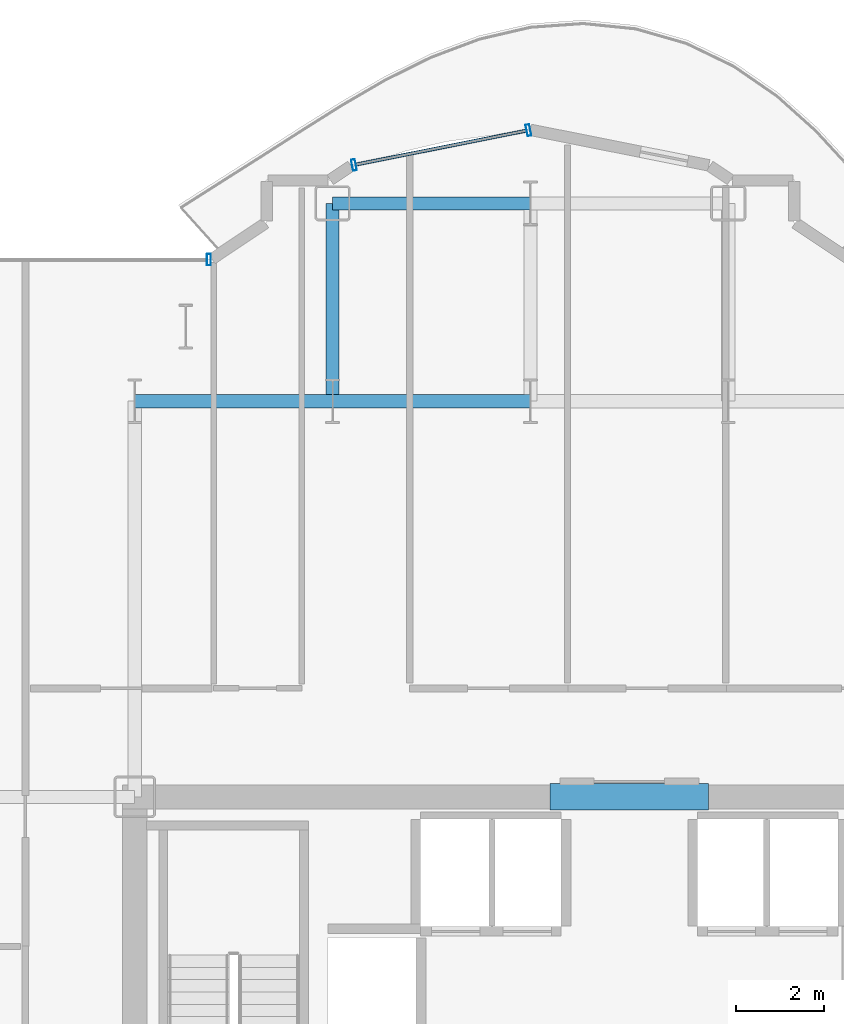
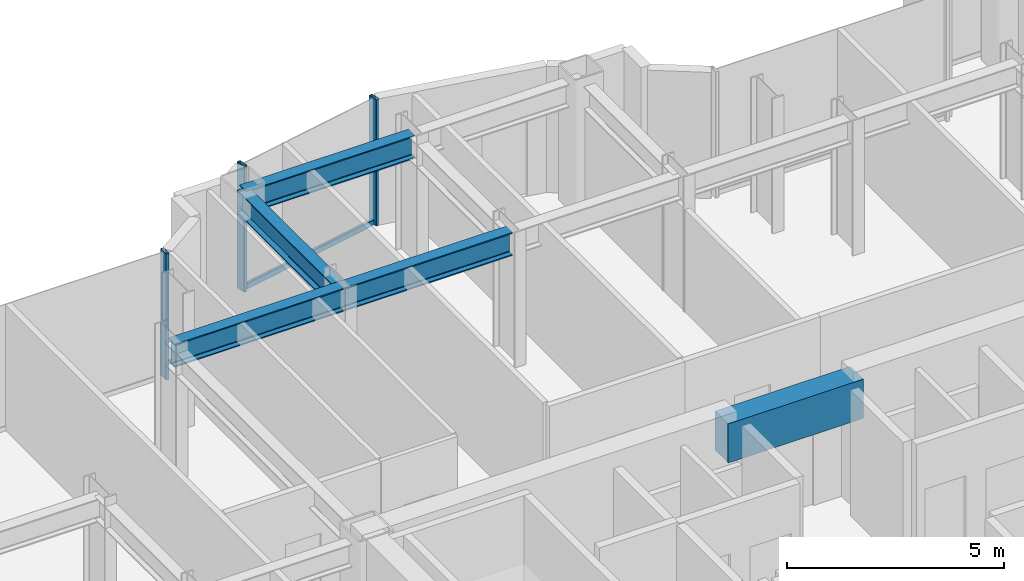
# One storey, part 13 of 29: 5 beams, 4 members, 2 elements without a shape of their own.
"""IFC4 building model written with IfcOpenShell, lengths in metres."""

import ifcopenshell
import ifcopenshell.guid

model = None  # the IFC model being written
_history = None  # IfcOwnerHistory: only IFC2X3 demands one
_inside = {}  # id of a spatial element -> (the spatial element, [elements in it])
_under = {}  # id of a project, library or spatial element -> (it, [spatial elements below it])
_declared = {}  # id of a project -> (the project, [libraries it declares])
_typed = {}  # id of a type object -> (the type object, [elements of that type])
_made_of = {}  # id of a material, layer set ... -> (it, [elements and type objects made of it])


def new_model(schema):
    """Start an empty IFC model of exactly this schema.

    Asked for "IFC4X3", IfcOpenShell would pick the latest addendum, in which some entities
    have other attributes; the version numbers below select the first issue.
    IFC2X3 requires an IfcOwnerHistory on every rooted entity: one is made here for all.
    """
    global model, _history
    if schema == "IFC4X3":
        model = ifcopenshell.file(schema_version=(4, 3, 0, 0))
    else:
        model = ifcopenshell.file(schema=schema)
    _inside.clear()
    _under.clear()
    _declared.clear()
    _typed.clear()
    _made_of.clear()
    _history = None
    if model.schema == "IFC2X3":
        org = make("IfcOrganization", Name="unknown")
        user = make(
            "IfcPersonAndOrganization",
            ThePerson=make("IfcPerson", FamilyName="unknown"),
            TheOrganization=org,
        )
        app = make(
            "IfcApplication",
            ApplicationDeveloper=org,
            Version="unknown",
            ApplicationFullName="unknown",
            ApplicationIdentifier="unknown",
        )
        _history = make(
            "IfcOwnerHistory",
            OwningUser=user,
            OwningApplication=app,
            ChangeAction="ADDED",
            CreationDate=0,
        )
    return model


def make(cls, **values):
    """One entity of the class cls with the attributes given. An attribute that is None is left unset."""
    return model.create_entity(
        cls, **{name: value for name, value in values.items() if value is not None}
    )


def rooted(cls, **values):
    """An entity with a GlobalId (a new one), such as an element, a storey or a relation."""
    return make(cls, GlobalId=ifcopenshell.guid.new(), OwnerHistory=_history, **values)


def si_unit(unit_type, name, prefix=None):
    """IfcSIUnit, for example si_unit("LENGTHUNIT", "METRE", prefix="MILLI")."""
    return make("IfcSIUnit", UnitType=unit_type, Prefix=prefix, Name=name)


def assignment(units):
    """IfcUnitAssignment: the units of a project."""
    return None if units is None else make("IfcUnitAssignment", Units=units)


def point(xyz):
    """IfcCartesianPoint."""
    return None if xyz is None else make("IfcCartesianPoint", Coordinates=xyz)


def direction(xyz):
    """IfcDirection."""
    return None if xyz is None else make("IfcDirection", DirectionRatios=xyz)


def frame(location, z_axis=None, x_axis=None):
    """IfcAxis2Placement3D, a coordinate frame: its origin and axes. An axis left out is left unset."""
    return make(
        "IfcAxis2Placement3D",
        Location=point(location),
        Axis=direction(z_axis),
        RefDirection=direction(x_axis),
    )


def frame_2d(location, x_axis=None):
    """IfcAxis2Placement2D, a coordinate frame in the plane: its origin and x axis."""
    return make(
        "IfcAxis2Placement2D", Location=point(location), RefDirection=direction(x_axis)
    )


def origin():
    """The frame at (0, 0, 0) with its axes left unset."""
    return frame((0.0, 0.0, 0.0))


def origin_2d():
    """The frame at (0, 0) in the plane with its x axis left unset."""
    return frame_2d((0.0, 0.0))


def place(relative_to, where):
    """IfcLocalPlacement: puts the frame where relative to a parent placement (None: the world)."""
    return make(
        "IfcLocalPlacement", PlacementRelTo=relative_to, RelativePlacement=where
    )


def context(
    kind, dimensions, precision=None, world=None, true_north=None, identifier=None
):
    """IfcGeometricRepresentationContext, for example the 3D "Model" context."""
    return make(
        "IfcGeometricRepresentationContext",
        ContextIdentifier=identifier,
        ContextType=kind,
        CoordinateSpaceDimension=dimensions,
        Precision=precision,
        WorldCoordinateSystem=world,
        TrueNorth=true_north,
    )


def subcontext(parent, identifier, kind, view, scale=None):
    """IfcGeometricRepresentationSubContext, for example "Body" below "Model"."""
    return make(
        "IfcGeometricRepresentationSubContext",
        ContextIdentifier=identifier,
        ContextType=kind,
        ParentContext=parent,
        TargetScale=scale,
        TargetView=view,
    )


def project(units=None, contexts=None):
    """IfcProject with its units and contexts."""
    return rooted(
        "IfcProject",
        Name="project",
        RepresentationContexts=contexts,
        UnitsInContext=assignment(units),
    )


def spatial(cls, under=None, at=None, **own):
    """A site, building, storey or space (cls), placed at a placement, below another one or the project."""
    s = rooted(cls, ObjectPlacement=at, **own)
    if under is not None:
        _under.setdefault(under.id(), (under, []))[1].append(s)
    return s


def profile(cls, at=None, kind="AREA", **sizes):
    """A parametric profile (cls). Its sizes go by their IFC names, for example OverallWidth=200.0."""
    return make(cls, ProfileType=kind, Position=at, **sizes)


def rectangle(**sizes):
    """IfcRectangleProfileDef."""
    return profile("IfcRectangleProfileDef", **sizes)


def hollow_rectangle(**sizes):
    """IfcRectangleHollowProfileDef."""
    return profile("IfcRectangleHollowProfileDef", **sizes)


def i_section(**sizes):
    """IfcIShapeProfileDef."""
    return profile("IfcIShapeProfileDef", **sizes)


def extrude(swept, where, along, depth):
    """IfcExtrudedAreaSolid: the profile swept, set in the frame where, extruded along a direction by depth."""
    return make(
        "IfcExtrudedAreaSolid",
        SweptArea=swept,
        Position=where,
        ExtrudedDirection=direction(along),
        Depth=depth,
    )


def shape(context_of_items, identifier, shape_type, items):
    """IfcShapeRepresentation: the items that make up one representation, for example the "Body"."""
    return make(
        "IfcShapeRepresentation",
        ContextOfItems=context_of_items,
        RepresentationIdentifier=identifier,
        RepresentationType=shape_type,
        Items=items,
    )


def source(mapping_origin, context_of_items, identifier, shape_type, items):
    """IfcRepresentationMap: a shape defined once, which mapped items show again and again."""
    return make(
        "IfcRepresentationMap",
        MappingOrigin=mapping_origin,
        MappedRepresentation=shape(context_of_items, identifier, shape_type, items),
    )


def transform(
    local_origin,
    x_axis=None,
    y_axis=None,
    z_axis=None,
    scale=None,
    scale2=None,
    scale3=None,
    uniform=True,
):
    """IfcCartesianTransformationOperator3D, or its non-uniform kind. x_axis, y_axis, z_axis: its Axis1, 2, 3."""
    if uniform:
        return make(
            "IfcCartesianTransformationOperator3D",
            Axis1=direction(x_axis),
            Axis2=direction(y_axis),
            LocalOrigin=point(local_origin),
            Scale=scale,
            Axis3=direction(z_axis),
        )
    return make(
        "IfcCartesianTransformationOperator3DnonUniform",
        Axis1=direction(x_axis),
        Axis2=direction(y_axis),
        LocalOrigin=point(local_origin),
        Scale=scale,
        Axis3=direction(z_axis),
        Scale2=scale2,
        Scale3=scale3,
    )


def mapped(mapping_source, mapping_target):
    """IfcMappedItem: shows the shape of a source again, moved by a transform."""
    return make(
        "IfcMappedItem", MappingSource=mapping_source, MappingTarget=mapping_target
    )


def material(Name=None, Category=None):
    """IfcMaterial."""
    return make("IfcMaterial", Name=Name, Category=Category)


def layer(
    of_material, thickness, ventilated=None, Name=None, Category=None, Priority=None
):
    """IfcMaterialLayer: one layer of a wall or slab, of a material (None: an air gap)."""
    return make(
        "IfcMaterialLayer",
        Material=of_material,
        LayerThickness=thickness,
        IsVentilated=ventilated,
        Name=Name,
        Category=Category,
        Priority=Priority,
    )


def layer_set(layers, Name=None):
    """IfcMaterialLayerSet."""
    return make("IfcMaterialLayerSet", MaterialLayers=layers, LayerSetName=Name)


def material_profile(
    of_material, cross_section, Name=None, Category=None, Priority=None
):
    """IfcMaterialProfile: a cross section and its material."""
    return make(
        "IfcMaterialProfile",
        Name=Name,
        Material=of_material,
        Profile=cross_section,
        Priority=Priority,
        Category=Category,
    )


def profile_set(profiles, Name=None, composite=None):
    """IfcMaterialProfileSet."""
    return make(
        "IfcMaterialProfileSet",
        Name=Name,
        MaterialProfiles=profiles,
        CompositeProfile=composite,
    )


def made_of(thing, what):
    """Note that an element or type object is made of a material, layer set ...; save() writes the relation."""
    if what is not None:
        _made_of.setdefault(what.id(), (what, []))[1].append(thing)
    return thing


def type_object(cls, material=None, **own):
    """A type object (cls), such as IfcWallType, which elements share."""
    return made_of(rooted(cls, **own), material)


def element(
    cls,
    number,
    at=None,
    inside=None,
    cuts=None,
    type_object=None,
    material=None,
    context=None,
    identifier="Body",
    shape_type=None,
    held_by="IfcProductDefinitionShape",
    body=None,
    shapes=None,
    **own,
):
    """One element of the class cls, such as IfcWall. Its Tag is "e" and its number.

    at: its placement. inside: the storey or other place that contains it. cuts: it is an
    opening in that element (IfcRelVoidsElement). A single representation is given by context,
    identifier, shape_type and body (its items); several are given by shapes. held_by: the class
    of the entity that holds the representations. save() writes the other relations.
    """
    e = rooted(cls, Tag="e%d" % number, ObjectPlacement=at, **own)
    if body is not None:
        shapes = [shape(context, identifier, shape_type, body)]
    if shapes is not None:
        e.Representation = make(held_by, Representations=shapes)
    if inside is not None:
        _inside.setdefault(inside.id(), (inside, []))[1].append(e)
    if cuts is not None:
        rooted(
            "IfcRelVoidsElement", RelatingBuildingElement=cuts, RelatedOpeningElement=e
        )
    if type_object is not None:
        _typed.setdefault(type_object.id(), (type_object, []))[1].append(e)
    return made_of(e, material)


def aggregate(whole, parts):
    """IfcRelAggregates: a whole, such as a stair, and the parts it consists of."""
    return rooted("IfcRelAggregates", RelatingObject=whole, RelatedObjects=parts)


def save(model, path):
    """Write the relations noted so far, then the file.

    IfcRelAggregates (storeys below a building ...), IfcRelContainedInSpatialStructure (elements
    in a storey), IfcRelDefinesByType, IfcRelAssociatesMaterial and IfcRelDeclares: one each for
    every whole, place, type object, material and project.
    """
    for whole, parts in _under.values():
        aggregate(whole, parts)
    for where, things in _inside.values():
        rooted(
            "IfcRelContainedInSpatialStructure",
            RelatedElements=things,
            RelatingStructure=where,
        )
    for kind, things in _typed.values():
        rooted("IfcRelDefinesByType", RelatedObjects=things, RelatingType=kind)
    for what, things in _made_of.values():
        rooted("IfcRelAssociatesMaterial", RelatedObjects=things, RelatingMaterial=what)
    for by, libraries in _declared.values():
        rooted("IfcRelDeclares", RelatingContext=by, RelatedDefinitions=libraries)
    model.write(path)


model = new_model("IFC4")

# Units and contexts
model_context = context("Model", 3, precision=1e-05, world=origin(), true_north=direction((0.0, 1.0)))
body_context = subcontext(model_context, "Body", "Model", "MODEL_VIEW")
ifc_project = project(units=[si_unit("LENGTHUNIT", "METRE"), si_unit("AREAUNIT", "SQUARE_METRE"), si_unit("VOLUMEUNIT", "CUBIC_METRE"), si_unit("PLANEANGLEUNIT", "RADIAN"), si_unit("MASSUNIT", "GRAM", prefix="KILO")], contexts=[model_context])

# Site, building, storey
site_placement = place(None, origin())
site = spatial("IfcSite", under=ifc_project, at=site_placement, CompositionType="ELEMENT")
building_placement = place(site_placement, origin())
building = spatial("IfcBuilding", under=site, at=building_placement, Name="Nefas-Gora Pilgrimage Tower", CompositionType="ELEMENT")
storey_placement = place(building_placement, frame((0.0, 0.0, 125.0)))
storey = spatial("IfcBuildingStorey", under=building, at=storey_placement, Name="L30", CompositionType="ELEMENT", Elevation=125.0)

# Beams
ifc_material_1 = material(Name="Concrete C60/75", Category="concrete")
ifc_material_profile_1 = material_profile(ifc_material_1, rectangle(XDim=0.60009765625, YDim=1.10009765625, at=origin_2d()), Name="RC 600x1100")
ifc_profile_set_1 = profile_set([ifc_material_profile_1], Name="Concrete C60/75")
beam_type_1 = type_object("IfcBeamType", Name="BM-LIN-RC1100", PredefinedType="LINTEL", material=ifc_profile_set_1)
shared_shape_1 = source(origin(), body_context, "Body", "SweptSolid", [
    extrude(rectangle(XDim=0.60009765625, YDim=1.10009765625, at=origin_2d()), origin(), (0.0, 0.0, 1.0), 3.60009765625),
])
beam_placement = place(storey_placement, frame((-1.800048828125, 9.0, 3.0), z_axis=(1.0, 0.0, 0.0), x_axis=(0.0, 1.0, 0.0)))
element("IfcBeam", 1, at=beam_placement, inside=storey, type_object=beam_type_1, Name="L30 Core Coupling Lintel Beam N", PredefinedType="LINTEL", context=body_context, shape_type="MappedRepresentation", body=[
    mapped(shared_shape_1, transform((0.0, 0.0, 0.0), x_axis=(1.0, 0.0, 0.0), y_axis=(0.0, 1.0, 0.0), z_axis=(0.0, 0.0, 1.0), scale=1.0)),
])
ifc_material_2 = material(Name="Steel S355", Category="steel")
ifc_material_profile_2 = material_profile(ifc_material_2, i_section(OverallWidth=0.300048828125, OverallDepth=0.64990234375, WebThickness=0.01611328125, FlangeThickness=0.031005859375, FilletRadius=0.027099609375, at=origin_2d()), Name="HEB 650")
ifc_profile_set_2 = profile_set([ifc_material_profile_2], Name="Steel S355")
beam_type_2 = type_object("IfcBeamType", Name="BM-GIR-HEB650", PredefinedType="BEAM", material=ifc_profile_set_2)
shared_shape_2 = source(origin(), body_context, "Body", "SweptSolid", [
    extrude(i_section(OverallWidth=0.300048828125, OverallDepth=0.64990234375, WebThickness=0.01611328125, FlangeThickness=0.031005859375, FilletRadius=0.027099609375, at=origin_2d()), origin(), (0.0, 0.0, 1.0), 4.5),
])
for number, where, z_axis, x_axis, name in (
    (2, (-11.25, 18.0, 3.22509765625), (1.0, 0.0, 0.0), (0.0, 1.0, 0.0), "L30 G-03 beam"),
    (3, (-6.75, 18.0, 3.22509765625), (0.0, 1.0, 0.0), (-1.0, 0.0, 0.0), "L30 G-03 beam"),
    (4, (-6.75, 18.0, 3.22509765625), (1.0, 0.0, 0.0), (0.0, 1.0, 0.0), "L30 G-03 beam"),
    (5, (-6.75, 22.5, 3.22509765625), (1.0, 0.0, 0.0), (0.0, 1.0, 0.0), "L30 G-03 beam"),
):
    element("IfcBeam", number, at=place(storey_placement, frame(where, z_axis=z_axis, x_axis=x_axis)), inside=storey, type_object=beam_type_2, Name=name, PredefinedType="BEAM", context=body_context, shape_type="MappedRepresentation", body=[
        mapped(shared_shape_2, transform((0.0, 0.0, 0.0), x_axis=(1.0, 0.0, 0.0), y_axis=(0.0, 1.0, 0.0), z_axis=(0.0, 0.0, 1.0), scale=1.0)),
    ])

# Curtain wall, members
ifc_material_3 = material(Name="Dark ceramic-fritted solar-control aluminium-glass curtain wall", Category="aluminium")
ifc_layer = layer(ifc_material_3, 0.219970703125)
ifc_layer_set = layer_set([ifc_layer], Name="Dark ceramic-fritted solar-control aluminium-glass curtain wall")
curtain_wall_type = type_object("IfcCurtainWallType", Name="CW-SYS-5", PredefinedType="NOTDEFINED", material=ifc_layer_set)
curtain_wall_1_placement = place(storey_placement, origin())
curtain_wall_1 = element("IfcCurtainWall", 6, at=curtain_wall_1_placement, inside=storey, type_object=curtain_wall_type, Name="L30 Unitised Curtain Wall CW5", PredefinedType="NOTDEFINED")
ifc_material_4 = material(Name="Anodised architectural aluminium", Category="aluminium")
ifc_material_profile_3 = material_profile(ifc_material_4, hollow_rectangle(XDim=0.090087890625, YDim=0.260009765625, WallThickness=0.006103515625, InnerFilletRadius=0.006103515625, OuterFilletRadius=0.011962890625, at=origin_2d()), Name="ALU MULLION 90x260")
ifc_profile_set_3 = profile_set([ifc_material_profile_3], Name="Anodised architectural aluminium")
member_type_1 = type_object("IfcMemberType", Name="CWM-MUL-5", PredefinedType="MULLION", material=ifc_profile_set_3)
shared_shape_3 = source(origin(), body_context, "Body", "SweptSolid", [
    extrude(hollow_rectangle(XDim=0.090087890625, YDim=0.260009765625, WallThickness=0.006103515625, InnerFilletRadius=0.006103515625, OuterFilletRadius=0.011962890625, at=origin_2d()), origin(), (0.0, 0.0, 1.0), 3.550048828125),
])
member_1_placement = place(storey_placement, frame((-2.294189453125, 24.16357421875, 0.0), z_axis=(0.0, 0.0, 1.0), x_axis=(-0.980782896852, -0.195102304554, 0.0)))
member_1 = element("IfcMember", 7, at=member_1_placement, type_object=member_type_1, Name="CW5 Mullion 1", PredefinedType="MULLION", context=body_context, shape_type="MappedRepresentation", body=[
    mapped(shared_shape_3, transform((0.0, 0.0, 0.0), x_axis=(1.0, 0.0, 0.0), y_axis=(0.0, 1.0, 0.0), z_axis=(0.0, 0.0, 1.0), scale=1.0)),
])
member_2_placement = place(storey_placement, frame((-6.26318359375, 23.3740234375, 0.0), z_axis=(0.0, 0.0, 1.0), x_axis=(-0.980782896852, -0.195102304554, 0.0)))
member_2 = element("IfcMember", 8, at=member_2_placement, type_object=member_type_1, Name="CW5 Mullion 2", PredefinedType="MULLION", context=body_context, shape_type="MappedRepresentation", body=[
    mapped(shared_shape_3, transform((0.0, 0.0, 0.0), x_axis=(1.0, 0.0, 0.0), y_axis=(0.0, 1.0, 0.0), z_axis=(0.0, 0.0, 1.0), scale=1.0)),
])

# Curtain wall, member
curtain_wall_2_placement = place(storey_placement, origin())
curtain_wall_2 = element("IfcCurtainWall", 9, at=curtain_wall_2_placement, inside=storey, type_object=curtain_wall_type, Name="L30 Unitised Curtain Wall CW5", PredefinedType="NOTDEFINED")
member_3_placement = place(storey_placement, frame((-9.56298828125, 21.219970703125, 0.0), z_axis=(0.0, 0.0, 1.0), x_axis=(-1.0, 0.0, 0.0)))
member_3 = element("IfcMember", 10, at=member_3_placement, type_object=member_type_1, Name="CW5 Mullion 1", PredefinedType="MULLION", context=body_context, shape_type="MappedRepresentation", body=[
    mapped(shared_shape_3, transform((0.0, 0.0, 0.0), x_axis=(1.0, 0.0, 0.0), y_axis=(0.0, 1.0, 0.0), z_axis=(0.0, 0.0, 1.0), scale=1.0)),
])
aggregate(curtain_wall_2, [member_3])

# Member
ifc_material_profile_4 = material_profile(ifc_material_4, hollow_rectangle(XDim=0.080078125, YDim=0.159912109375, WallThickness=0.00439453125, InnerFilletRadius=0.00439453125, OuterFilletRadius=0.009033203125, at=origin_2d()), Name="ALU TRANSOM 80x160")
ifc_profile_set_4 = profile_set([ifc_material_profile_4], Name="Anodised architectural aluminium")
member_type_2 = type_object("IfcMemberType", Name="CWM-TRN-5", PredefinedType="USERDEFINED", material=ifc_profile_set_4)
shared_shape_4 = source(origin(), body_context, "Body", "SweptSolid", [
    extrude(hollow_rectangle(XDim=0.080078125, YDim=0.159912109375, WallThickness=0.00439453125, InnerFilletRadius=0.00439453125, OuterFilletRadius=0.009033203125, at=origin_2d()), origin(), (0.0, 0.0, 1.0), 3.95654296875),
])
member_4_placement = place(storey_placement, frame((-2.33837890625, 24.15478515625, 0.050048828125), z_axis=(-0.980781880918, -0.195107411605, 0.0), x_axis=(0.195107411605, -0.980781880918, 0.0)))
member_4 = element("IfcMember", 11, at=member_4_placement, type_object=member_type_2, Name="CW5 Spandrel Transom", ObjectType="TRANSOM", PredefinedType="USERDEFINED", context=body_context, shape_type="MappedRepresentation", body=[
    mapped(shared_shape_4, transform((0.0, 0.0, 0.0), x_axis=(1.0, 0.0, 0.0), y_axis=(0.0, 1.0, 0.0), z_axis=(0.0, 0.0, 1.0), scale=1.0)),
])

aggregate(curtain_wall_1, [member_1, member_2, member_4])

save(model, "model.ifc")
